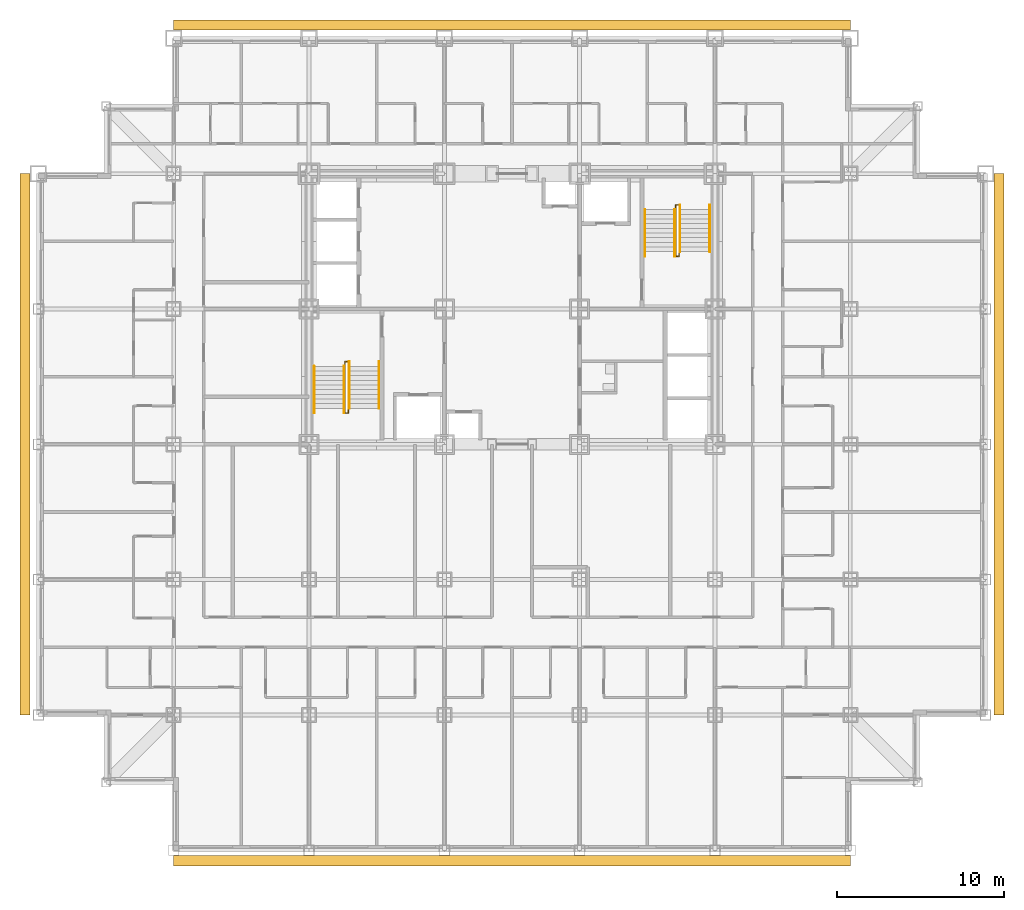
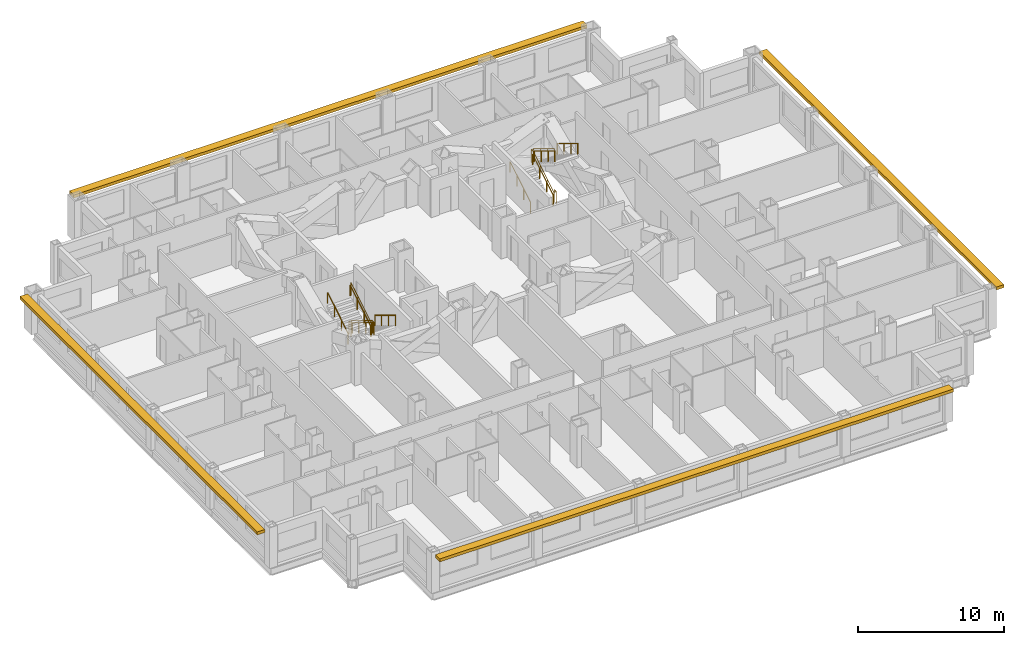
# One storey, part 12 of 13: 10 railings, 4 shading devices.
"""IFC4 building model written with IfcOpenShell, lengths in metres."""

import ifcopenshell
import ifcopenshell.guid

model = None  # the IFC model being written
_history = None  # IfcOwnerHistory: only IFC2X3 demands one
_inside = {}  # id of a spatial element -> (the spatial element, [elements in it])
_under = {}  # id of a project, library or spatial element -> (it, [spatial elements below it])
_declared = {}  # id of a project -> (the project, [libraries it declares])
_typed = {}  # id of a type object -> (the type object, [elements of that type])
_made_of = {}  # id of a material, layer set ... -> (it, [elements and type objects made of it])


def new_model(schema):
    """Start an empty IFC model of exactly this schema.

    Asked for "IFC4X3", IfcOpenShell would pick the latest addendum, in which some entities
    have other attributes; the version numbers below select the first issue.
    IFC2X3 requires an IfcOwnerHistory on every rooted entity: one is made here for all.
    """
    global model, _history
    if schema == "IFC4X3":
        model = ifcopenshell.file(schema_version=(4, 3, 0, 0))
    else:
        model = ifcopenshell.file(schema=schema)
    _inside.clear()
    _under.clear()
    _declared.clear()
    _typed.clear()
    _made_of.clear()
    _history = None
    if model.schema == "IFC2X3":
        org = make("IfcOrganization", Name="unknown")
        user = make(
            "IfcPersonAndOrganization",
            ThePerson=make("IfcPerson", FamilyName="unknown"),
            TheOrganization=org,
        )
        app = make(
            "IfcApplication",
            ApplicationDeveloper=org,
            Version="unknown",
            ApplicationFullName="unknown",
            ApplicationIdentifier="unknown",
        )
        _history = make(
            "IfcOwnerHistory",
            OwningUser=user,
            OwningApplication=app,
            ChangeAction="ADDED",
            CreationDate=0,
        )
    return model


def make(cls, **values):
    """One entity of the class cls with the attributes given. An attribute that is None is left unset."""
    return model.create_entity(
        cls, **{name: value for name, value in values.items() if value is not None}
    )


def rooted(cls, **values):
    """An entity with a GlobalId (a new one), such as an element, a storey or a relation."""
    return make(cls, GlobalId=ifcopenshell.guid.new(), OwnerHistory=_history, **values)


def si_unit(unit_type, name, prefix=None):
    """IfcSIUnit, for example si_unit("LENGTHUNIT", "METRE", prefix="MILLI")."""
    return make("IfcSIUnit", UnitType=unit_type, Prefix=prefix, Name=name)


def assignment(units):
    """IfcUnitAssignment: the units of a project."""
    return None if units is None else make("IfcUnitAssignment", Units=units)


def point(xyz):
    """IfcCartesianPoint."""
    return None if xyz is None else make("IfcCartesianPoint", Coordinates=xyz)


def direction(xyz):
    """IfcDirection."""
    return None if xyz is None else make("IfcDirection", DirectionRatios=xyz)


def frame(location, z_axis=None, x_axis=None):
    """IfcAxis2Placement3D, a coordinate frame: its origin and axes. An axis left out is left unset."""
    return make(
        "IfcAxis2Placement3D",
        Location=point(location),
        Axis=direction(z_axis),
        RefDirection=direction(x_axis),
    )


def frame_2d(location, x_axis=None):
    """IfcAxis2Placement2D, a coordinate frame in the plane: its origin and x axis."""
    return make(
        "IfcAxis2Placement2D", Location=point(location), RefDirection=direction(x_axis)
    )


def origin():
    """The frame at (0, 0, 0) with its axes left unset."""
    return frame((0.0, 0.0, 0.0))


def origin_2d():
    """The frame at (0, 0) in the plane with its x axis left unset."""
    return frame_2d((0.0, 0.0))


def place(relative_to, where):
    """IfcLocalPlacement: puts the frame where relative to a parent placement (None: the world)."""
    return make(
        "IfcLocalPlacement", PlacementRelTo=relative_to, RelativePlacement=where
    )


def context(
    kind, dimensions, precision=None, world=None, true_north=None, identifier=None
):
    """IfcGeometricRepresentationContext, for example the 3D "Model" context."""
    return make(
        "IfcGeometricRepresentationContext",
        ContextIdentifier=identifier,
        ContextType=kind,
        CoordinateSpaceDimension=dimensions,
        Precision=precision,
        WorldCoordinateSystem=world,
        TrueNorth=true_north,
    )


def subcontext(parent, identifier, kind, view, scale=None):
    """IfcGeometricRepresentationSubContext, for example "Body" below "Model"."""
    return make(
        "IfcGeometricRepresentationSubContext",
        ContextIdentifier=identifier,
        ContextType=kind,
        ParentContext=parent,
        TargetScale=scale,
        TargetView=view,
    )


def project(units=None, contexts=None):
    """IfcProject with its units and contexts."""
    return rooted(
        "IfcProject",
        Name="project",
        RepresentationContexts=contexts,
        UnitsInContext=assignment(units),
    )


def spatial(cls, under=None, at=None, **own):
    """A site, building, storey or space (cls), placed at a placement, below another one or the project."""
    s = rooted(cls, ObjectPlacement=at, **own)
    if under is not None:
        _under.setdefault(under.id(), (under, []))[1].append(s)
    return s


def profile(cls, at=None, kind="AREA", **sizes):
    """A parametric profile (cls). Its sizes go by their IFC names, for example OverallWidth=200.0."""
    return make(cls, ProfileType=kind, Position=at, **sizes)


def rectangle(**sizes):
    """IfcRectangleProfileDef."""
    return profile("IfcRectangleProfileDef", **sizes)


def circle(**sizes):
    """IfcCircleProfileDef."""
    return profile("IfcCircleProfileDef", **sizes)


def extrude(swept, where, along, depth):
    """IfcExtrudedAreaSolid: the profile swept, set in the frame where, extruded along a direction by depth."""
    return make(
        "IfcExtrudedAreaSolid",
        SweptArea=swept,
        Position=where,
        ExtrudedDirection=direction(along),
        Depth=depth,
    )


def shape(context_of_items, identifier, shape_type, items):
    """IfcShapeRepresentation: the items that make up one representation, for example the "Body"."""
    return make(
        "IfcShapeRepresentation",
        ContextOfItems=context_of_items,
        RepresentationIdentifier=identifier,
        RepresentationType=shape_type,
        Items=items,
    )


def material(Name=None, Category=None):
    """IfcMaterial."""
    return make("IfcMaterial", Name=Name, Category=Category)


def made_of(thing, what):
    """Note that an element or type object is made of a material, layer set ...; save() writes the relation."""
    if what is not None:
        _made_of.setdefault(what.id(), (what, []))[1].append(thing)
    return thing


def type_object(cls, material=None, **own):
    """A type object (cls), such as IfcWallType, which elements share."""
    return made_of(rooted(cls, **own), material)


def element(
    cls,
    number,
    at=None,
    inside=None,
    cuts=None,
    type_object=None,
    material=None,
    context=None,
    identifier="Body",
    shape_type=None,
    held_by="IfcProductDefinitionShape",
    body=None,
    shapes=None,
    **own,
):
    """One element of the class cls, such as IfcWall. Its Tag is "e" and its number.

    at: its placement. inside: the storey or other place that contains it. cuts: it is an
    opening in that element (IfcRelVoidsElement). A single representation is given by context,
    identifier, shape_type and body (its items); several are given by shapes. held_by: the class
    of the entity that holds the representations. save() writes the other relations.
    """
    e = rooted(cls, Tag="e%d" % number, ObjectPlacement=at, **own)
    if body is not None:
        shapes = [shape(context, identifier, shape_type, body)]
    if shapes is not None:
        e.Representation = make(held_by, Representations=shapes)
    if inside is not None:
        _inside.setdefault(inside.id(), (inside, []))[1].append(e)
    if cuts is not None:
        rooted(
            "IfcRelVoidsElement", RelatingBuildingElement=cuts, RelatedOpeningElement=e
        )
    if type_object is not None:
        _typed.setdefault(type_object.id(), (type_object, []))[1].append(e)
    return made_of(e, material)


def aggregate(whole, parts):
    """IfcRelAggregates: a whole, such as a stair, and the parts it consists of."""
    return rooted("IfcRelAggregates", RelatingObject=whole, RelatedObjects=parts)


def save(model, path):
    """Write the relations noted so far, then the file.

    IfcRelAggregates (storeys below a building ...), IfcRelContainedInSpatialStructure (elements
    in a storey), IfcRelDefinesByType, IfcRelAssociatesMaterial and IfcRelDeclares: one each for
    every whole, place, type object, material and project.
    """
    for whole, parts in _under.values():
        aggregate(whole, parts)
    for where, things in _inside.values():
        rooted(
            "IfcRelContainedInSpatialStructure",
            RelatedElements=things,
            RelatingStructure=where,
        )
    for kind, things in _typed.values():
        rooted("IfcRelDefinesByType", RelatedObjects=things, RelatingType=kind)
    for what, things in _made_of.values():
        rooted("IfcRelAssociatesMaterial", RelatedObjects=things, RelatingMaterial=what)
    for by, libraries in _declared.values():
        rooted("IfcRelDeclares", RelatingContext=by, RelatedDefinitions=libraries)
    model.write(path)


model = new_model("IFC4")

# Units and contexts
model_context = context("Model", 3, precision=1e-05, world=origin(), true_north=direction((0.0, 1.0)))
body_context = subcontext(model_context, "Body", "Model", "MODEL_VIEW")
ifc_project = project(units=[si_unit("LENGTHUNIT", "METRE"), si_unit("AREAUNIT", "SQUARE_METRE"), si_unit("VOLUMEUNIT", "CUBIC_METRE"), si_unit("PLANEANGLEUNIT", "RADIAN"), si_unit("MASSUNIT", "GRAM", prefix="KILO")], contexts=[model_context])

# Site, building, storey
site_placement = place(None, origin())
site = spatial("IfcSite", under=ifc_project, at=site_placement, CompositionType="ELEMENT")
building_placement = place(site_placement, origin())
building = spatial("IfcBuilding", under=site, at=building_placement, Name="Kopane Lantern Tower", CompositionType="ELEMENT")
storey_placement = place(building_placement, frame((0.0, 0.0, 63.60009765625)))
storey = spatial("IfcBuildingStorey", under=building, at=storey_placement, Name="L15", CompositionType="ELEMENT", Elevation=63.60009765625)

# Railings
ifc_material_1 = material(Name="Steel", Category="steel")
railing_type_1 = type_object("IfcRailingType", Name="STAIR GUARD 1100", PredefinedType="GUARDRAIL", material=ifc_material_1)
railing_1_placement = place(storey_placement, frame((18.35009765625, 28.969970703125, 0.0)))
element("IfcRailing", 1, at=railing_1_placement, inside=storey, type_object=railing_type_1, Name="ST1 well guard L15", PredefinedType="GUARDRAIL", context=body_context, shape_type="SweptSolid", body=[
    extrude(circle(Radius=0.02392578125, at=origin_2d()), frame((0.0, 0.0, 1.076171875), z_axis=(0.0, 1.0, 0.0), x_axis=(-1.0, 0.0, 0.0)), (0.0, 0.0, 1.0), 0.280029296875),
    extrude(circle(Radius=0.02392578125, at=origin_2d()), frame((0.0, 0.280029296875, 1.076171875), z_axis=(1.0, 0.0, 0.0), x_axis=(0.0, 1.0, 0.0)), (0.0, 0.0, 1.0), 0.199951171875),
    extrude(circle(Radius=0.02392578125, at=origin_2d()), frame((0.199951171875, 0.280029296875, 1.076171875), z_axis=(0.0, -0.854798142509, 0.518960630071), x_axis=(1.0, 0.0, 0.0)), (0.0, 0.0, 1.0), 3.275634765625),
    extrude(circle(Radius=0.02392578125, at=origin_2d()), frame((0.199951171875, -2.52001953125, 2.77587890625), z_axis=(0.0, -1.0, 0.0), x_axis=(1.0, 0.0, 0.0)), (0.0, 0.0, 1.0), 0.280029296875),
    extrude(circle(Radius=0.02392578125, at=origin_2d()), frame((0.199951171875, -2.800048828125, 2.77587890625), z_axis=(-1.0, 0.0, 0.0), x_axis=(0.0, -1.0, 0.0)), (0.0, 0.0, 1.0), 0.199951171875),
    extrude(circle(Radius=0.02392578125, at=origin_2d()), frame((0.0, -2.800048828125, 2.77587890625), z_axis=(0.0, 0.854798142509, 0.518960630071), x_axis=(-1.0, 0.0, 0.0)), (0.0, 0.0, 1.0), 3.275634765625),
    extrude(circle(Radius=0.02099609375, at=origin_2d()), origin(), (0.0, 0.0, 1.0), 1.052001953125),
    extrude(circle(Radius=0.02099609375, at=origin_2d()), frame((0.0, 0.280029296875, 0.0)), (0.0, 0.0, 1.0), 1.052001953125),
    extrude(circle(Radius=0.02099609375, at=origin_2d()), frame((0.199951171875, 0.280029296875, 0.0)), (0.0, 0.0, 1.0), 1.052001953125),
    extrude(circle(Radius=0.02099609375, at=origin_2d()), frame((0.199951171875, -0.6533203125, 0.566650390625)), (0.0, 0.0, 1.0), 1.052001953125),
    extrude(circle(Radius=0.02099609375, at=origin_2d()), frame((0.199951171875, -1.586669921875, 1.13330078125)), (0.0, 0.0, 1.0), 1.052001953125),
    extrude(circle(Radius=0.02099609375, at=origin_2d()), frame((0.199951171875, -2.52001953125, 1.699951171875)), (0.0, 0.0, 1.0), 1.052001953125),
    extrude(circle(Radius=0.02099609375, at=origin_2d()), frame((0.199951171875, -2.800048828125, 1.699951171875)), (0.0, 0.0, 1.0), 1.052001953125),
    extrude(circle(Radius=0.02099609375, at=origin_2d()), frame((0.0, -2.800048828125, 1.699951171875)), (0.0, 0.0, 1.0), 1.052001953125),
    extrude(circle(Radius=0.02099609375, at=origin_2d()), frame((0.0, -1.86669921875, 2.2666015625)), (0.0, 0.0, 1.0), 1.052001953125),
    extrude(circle(Radius=0.02099609375, at=origin_2d()), frame((0.0, -0.933349609375, 2.833251953125)), (0.0, 0.0, 1.0), 1.052001953125),
    extrude(circle(Radius=0.02099609375, at=origin_2d()), frame((0.0, 0.0, 3.39990234375)), (0.0, 0.0, 1.0), 1.052001953125),
])
railing_2_placement = place(storey_placement, frame((38.35009765625, 35.830078125, 0.0)))
element("IfcRailing", 2, at=railing_2_placement, inside=storey, type_object=railing_type_1, Name="ST2 well guard L15", PredefinedType="GUARDRAIL", context=body_context, shape_type="SweptSolid", body=[
    extrude(circle(Radius=0.02392578125, at=origin_2d()), frame((0.0, 0.0, 1.076171875), z_axis=(0.0, -1.0, 0.0), x_axis=(1.0, 0.0, 0.0)), (0.0, 0.0, 1.0), 0.280029296875),
    extrude(circle(Radius=0.02392578125, at=origin_2d()), frame((0.0, -0.280029296875, 1.076171875), z_axis=(-1.0, 0.0, 0.0), x_axis=(0.0, -1.0, 0.0)), (0.0, 0.0, 1.0), 0.2001953125),
    extrude(circle(Radius=0.02392578125, at=origin_2d()), frame((-0.2001953125, -0.280029296875, 1.076171875), z_axis=(0.0, 0.854798142509, 0.518960630071), x_axis=(-1.0, 0.0, 0.0)), (0.0, 0.0, 1.0), 3.275634765625),
    extrude(circle(Radius=0.02392578125, at=origin_2d()), frame((-0.2001953125, 2.52001953125, 2.77587890625), z_axis=(0.0, 1.0, 0.0), x_axis=(-1.0, 0.0, 0.0)), (0.0, 0.0, 1.0), 0.27978515625),
    extrude(circle(Radius=0.02392578125, at=origin_2d()), frame((-0.2001953125, 2.7998046875, 2.77587890625), z_axis=(1.0, 0.0, 0.0), x_axis=(0.0, 1.0, 0.0)), (0.0, 0.0, 1.0), 0.2001953125),
    extrude(circle(Radius=0.02392578125, at=origin_2d()), frame((0.0, 2.7998046875, 2.77587890625), z_axis=(0.0, -0.854778067842, 0.518993694313), x_axis=(1.0, 0.0, 0.0)), (0.0, 0.0, 1.0), 3.275390625),
    extrude(circle(Radius=0.02099609375, at=origin_2d()), origin(), (0.0, 0.0, 1.0), 1.052001953125),
    extrude(circle(Radius=0.02099609375, at=origin_2d()), frame((0.0, -0.280029296875, 0.0)), (0.0, 0.0, 1.0), 1.052001953125),
    extrude(circle(Radius=0.02099609375, at=origin_2d()), frame((-0.2001953125, -0.280029296875, 0.0)), (0.0, 0.0, 1.0), 1.052001953125),
    extrude(circle(Radius=0.02099609375, at=origin_2d()), frame((-0.2001953125, 0.6533203125, 0.566650390625)), (0.0, 0.0, 1.0), 1.052001953125),
    extrude(circle(Radius=0.02099609375, at=origin_2d()), frame((-0.2001953125, 1.586669921875, 1.13330078125)), (0.0, 0.0, 1.0), 1.052001953125),
    extrude(circle(Radius=0.02099609375, at=origin_2d()), frame((-0.2001953125, 2.52001953125, 1.699951171875)), (0.0, 0.0, 1.0), 1.052001953125),
    extrude(circle(Radius=0.02099609375, at=origin_2d()), frame((-0.2001953125, 2.7998046875, 1.699951171875)), (0.0, 0.0, 1.0), 1.052001953125),
    extrude(circle(Radius=0.02099609375, at=origin_2d()), frame((0.0, 2.7998046875, 1.699951171875)), (0.0, 0.0, 1.0), 1.052001953125),
    extrude(circle(Radius=0.02099609375, at=origin_2d()), frame((0.0, 1.866455078125, 2.2666015625)), (0.0, 0.0, 1.0), 1.052001953125),
    extrude(circle(Radius=0.02099609375, at=origin_2d()), frame((0.0, 0.933349609375, 2.833251953125)), (0.0, 0.0, 1.0), 1.052001953125),
    extrude(circle(Radius=0.02099609375, at=origin_2d()), frame((0.0, 0.0, 3.39990234375)), (0.0, 0.0, 1.0), 1.052001953125),
])
ifc_material_2 = material(Name="Steel", Category="steel")
railing_type_2 = type_object("IfcRailingType", Name="STAIR HANDRAIL 900", PredefinedType="HANDRAIL", material=ifc_material_2)
for number, where, name in (
    (3, (20.389892578125, 29.25, 0.0), "ST1 handrail L15 flight 1"),
    (4, (18.610107421875, 29.25, 0.0), "ST1 handrail L15 flight 1"),
):
    element("IfcRailing", number, at=place(storey_placement, frame(where)), inside=storey, type_object=railing_type_2, Name=name, PredefinedType="HANDRAIL", context=body_context, shape_type="SweptSolid", body=[
        extrude(circle(Radius=0.02392578125, at=origin_2d()), frame((0.0, 0.0, 0.8759765625), z_axis=(0.0, -0.854798142509, 0.518960630071), x_axis=(1.0, 0.0, 0.0)), (0.0, 0.0, 1.0), 3.275634765625),
        extrude(circle(Radius=0.02099609375, at=origin_2d()), origin(), (0.0, 0.0, 1.0), 0.851806640625),
        extrude(circle(Radius=0.02099609375, at=origin_2d()), frame((0.0, -0.933349609375, 0.566650390625)), (0.0, 0.0, 1.0), 0.851806640625),
        extrude(circle(Radius=0.02099609375, at=origin_2d()), frame((0.0, -1.86669921875, 1.13330078125)), (0.0, 0.0, 1.0), 0.851806640625),
        extrude(circle(Radius=0.02099609375, at=origin_2d()), frame((0.0, -2.800048828125, 1.699951171875)), (0.0, 0.0, 1.0), 0.851806640625),
    ])
for number, where, name in (
    (5, (16.510009765625, 26.169921875, 1.699951171875), "ST1 handrail L15 flight 2"),
    (6, (18.2900390625, 26.169921875, 1.699951171875), "ST1 handrail L15 flight 2"),
    (7, (36.31005859375, 35.550048828125, 0.0), "ST2 handrail L15 flight 1"),
    (8, (38.090087890625, 35.550048828125, 0.0), "ST2 handrail L15 flight 1"),
):
    element("IfcRailing", number, at=place(storey_placement, frame(where)), inside=storey, type_object=railing_type_2, Name=name, PredefinedType="HANDRAIL", context=body_context, shape_type="SweptSolid", body=[
        extrude(circle(Radius=0.02392578125, at=origin_2d()), frame((0.0, 0.0, 0.8759765625), z_axis=(0.0, 0.854798142509, 0.518960630071), x_axis=(-1.0, 0.0, 0.0)), (0.0, 0.0, 1.0), 3.275634765625),
        extrude(circle(Radius=0.02099609375, at=origin_2d()), origin(), (0.0, 0.0, 1.0), 0.851806640625),
        extrude(circle(Radius=0.02099609375, at=origin_2d()), frame((0.0, 0.933349609375, 0.566650390625)), (0.0, 0.0, 1.0), 0.851806640625),
        extrude(circle(Radius=0.02099609375, at=origin_2d()), frame((0.0, 1.86669921875, 1.13330078125)), (0.0, 0.0, 1.0), 0.851806640625),
        extrude(circle(Radius=0.02099609375, at=origin_2d()), frame((0.0, 2.800048828125, 1.699951171875)), (0.0, 0.0, 1.0), 0.851806640625),
    ])
for number, where, name in (
    (9, (40.18994140625, 38.6298828125, 1.699951171875), "ST2 handrail L15 flight 2"),
    (10, (38.409912109375, 38.6298828125, 1.699951171875), "ST2 handrail L15 flight 2"),
):
    element("IfcRailing", number, at=place(storey_placement, frame(where)), inside=storey, type_object=railing_type_2, Name=name, PredefinedType="HANDRAIL", context=body_context, shape_type="SweptSolid", body=[
        extrude(circle(Radius=0.02392578125, at=origin_2d()), frame((0.0, 0.0, 0.8759765625), z_axis=(0.0, -0.854778067842, 0.518993694313), x_axis=(1.0, 0.0, 0.0)), (0.0, 0.0, 1.0), 3.275390625),
        extrude(circle(Radius=0.02099609375, at=origin_2d()), origin(), (0.0, 0.0, 1.0), 0.851806640625),
        extrude(circle(Radius=0.02099609375, at=origin_2d()), frame((0.0, -0.933349609375, 0.566650390625)), (0.0, 0.0, 1.0), 0.851806640625),
        extrude(circle(Radius=0.02099609375, at=origin_2d()), frame((0.0, -1.866455078125, 1.13330078125)), (0.0, 0.0, 1.0), 0.851806640625),
        extrude(circle(Radius=0.02099609375, at=origin_2d()), frame((0.0, -2.7998046875, 1.699951171875)), (0.0, 0.0, 1.0), 0.851806640625),
    ])

# Shading devices
ifc_material_3 = material(Name="Terracotta rainscreen on light steel framing", Category="masonry")
shading_device_type = type_object("IfcShadingDeviceType", Name="SUNSHADE BAND SB1 600 TERRACOTTA", PredefinedType="USERDEFINED", material=ifc_material_3)
shading_device_1_placement = place(storey_placement, frame((28.35009765625, -0.625, 2.89990234375), z_axis=(0.0, 0.0, 1.0), x_axis=(1.0, 0.0, 0.0)))
element("IfcShadingDevice", 11, at=shading_device_1_placement, inside=storey, type_object=shading_device_type, Name="Sunshade band S L15", ObjectType="SUNSHADE BAND", PredefinedType="USERDEFINED", context=body_context, shape_type="SweptSolid", body=[
    extrude(rectangle(XDim=40.5, YDim=0.60009765625, at=origin_2d()), origin(), (0.0, 0.0, 1.0), 0.25),
])
shading_device_2_placement = place(storey_placement, frame((57.5, 24.300048828125, 2.89990234375), z_axis=(0.0, 0.0, 1.0), x_axis=(0.0, 1.0, 0.0)))
element("IfcShadingDevice", 12, at=shading_device_2_placement, inside=storey, type_object=shading_device_type, Name="Sunshade band E L15", ObjectType="SUNSHADE BAND", PredefinedType="USERDEFINED", context=body_context, shape_type="SweptSolid", body=[
    extrude(rectangle(XDim=32.39990234375, YDim=0.60009765625, at=origin_2d()), origin(), (0.0, 0.0, 1.0), 0.25),
])
shading_device_3_placement = place(storey_placement, frame((28.35009765625, 49.39990234375, 2.89990234375), z_axis=(0.0, 0.0, 1.0), x_axis=(-1.0, 0.0, 0.0)))
element("IfcShadingDevice", 13, at=shading_device_3_placement, inside=storey, type_object=shading_device_type, Name="Sunshade band N L15", ObjectType="SUNSHADE BAND", PredefinedType="USERDEFINED", context=body_context, shape_type="SweptSolid", body=[
    extrude(rectangle(XDim=40.5, YDim=0.60009765625, at=origin_2d()), origin(), (0.0, 0.0, 1.0), 0.25),
])
shading_device_4_placement = place(storey_placement, frame((-0.800048828125, 24.300048828125, 2.89990234375), z_axis=(0.0, 0.0, 1.0), x_axis=(0.0, -1.0, 0.0)))
element("IfcShadingDevice", 14, at=shading_device_4_placement, inside=storey, type_object=shading_device_type, Name="Sunshade band W L15", ObjectType="SUNSHADE BAND", PredefinedType="USERDEFINED", context=body_context, shape_type="SweptSolid", body=[
    extrude(rectangle(XDim=32.39990234375, YDim=0.60009765625, at=origin_2d()), origin(), (0.0, 0.0, 1.0), 0.25),
])

save(model, "model.ifc")
